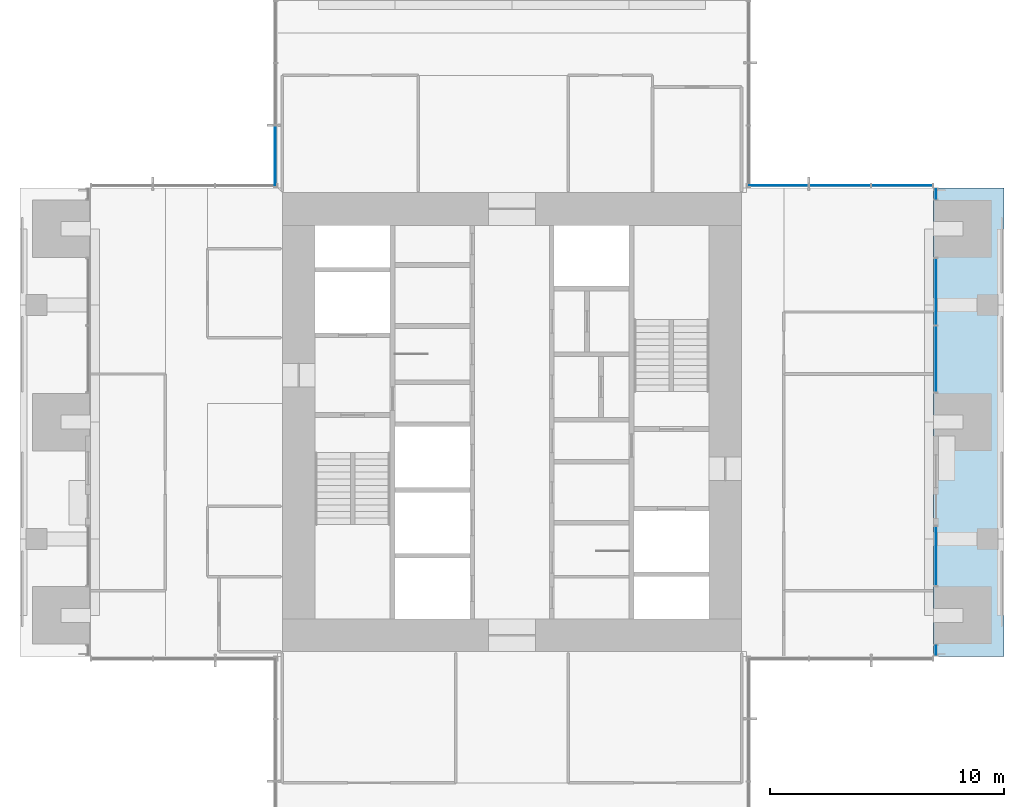
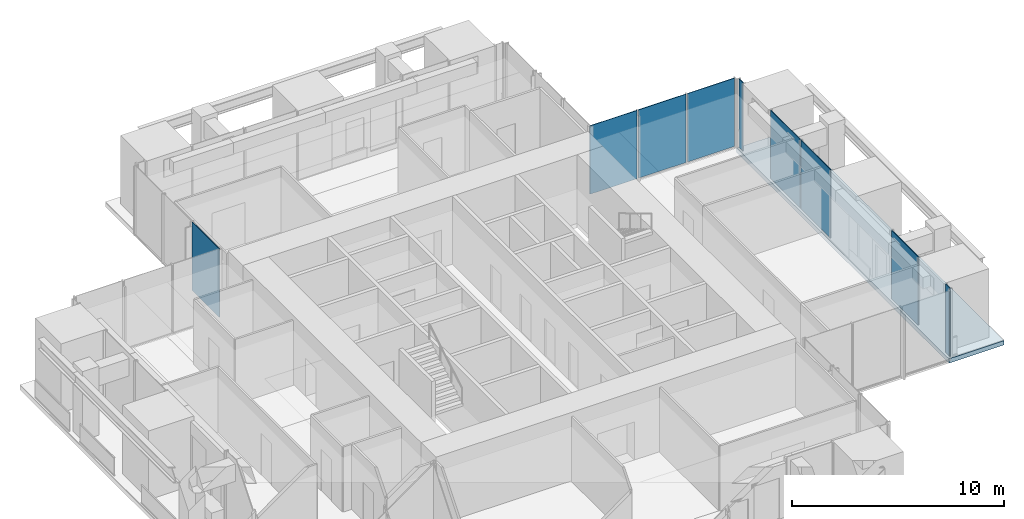
# One storey, part 10 of 17: 9 plates, 1 slab, 6 elements without a shape of their own.
"""IFC4 building model written with IfcOpenShell, lengths in metres."""

from ifc_helpers import new_model, si_unit, direction, frame, origin, origin_2d, place, context, subcontext, project, spatial, polyline, rectangle, outline, extrude, material, layer, layer_set, type_object, element, aggregate, save


model = new_model("IFC4")

# Units and contexts
model_context = context("Model", 3, precision=1e-05, world=origin(), true_north=direction((0.0, 1.0)))
body_context = subcontext(model_context, "Body", "Model", "MODEL_VIEW")
ifc_project = project(units=[si_unit("LENGTHUNIT", "METRE"), si_unit("AREAUNIT", "SQUARE_METRE"), si_unit("VOLUMEUNIT", "CUBIC_METRE"), si_unit("PLANEANGLEUNIT", "RADIAN"), si_unit("MASSUNIT", "GRAM", prefix="KILO")], contexts=[model_context])

# Site, building, storey
site_placement = place(None, origin())
site = spatial("IfcSite", under=ifc_project, at=site_placement, CompositionType="ELEMENT")
building_placement = place(site_placement, origin())
building = spatial("IfcBuilding", under=site, at=building_placement, Name="Svetlomir Tower", CompositionType="ELEMENT")
storey_placement = place(building_placement, frame((0.0, 0.0, 210.5)))
storey = spatial("IfcBuildingStorey", under=building, at=storey_placement, Name="L50", CompositionType="ELEMENT", Elevation=210.5)

# Curtain wall, plate
ifc_material_1 = material(Name="Bronze anodised aluminium curtain wall", Category="aluminium")
curtain_wall_type = type_object("IfcCurtainWallType", Name="CURTAIN WALL CW1 TOWER OFFICE", PredefinedType="NOTDEFINED", material=ifc_material_1)
curtain_wall_1_placement = place(storey_placement, origin())
curtain_wall_1 = element("IfcCurtainWall", 1, at=curtain_wall_1_placement, inside=storey, type_object=curtain_wall_type, Name="Curtain wall CW1 L50", PredefinedType="NOTDEFINED")
ifc_material_2 = material(Name="Tinted double glazed unit", Category="glass")
ifc_layer_1 = layer(ifc_material_2, 0.031982421875)
ifc_layer_set_1 = layer_set([ifc_layer_1], Name="Tinted double glazed unit")
plate_type = type_object("IfcPlateType", Name="CW1 GLAZED PANEL 32", PredefinedType="CURTAIN_PANEL", material=ifc_layer_set_1)
plate_1_placement = place(storey_placement, frame((39.10009765625, 11.262451171875, 0.06494140625), z_axis=(0.0, 0.0, 1.0), x_axis=(0.0, 1.0, 0.0)))
plate_1 = element("IfcPlate", 2, at=plate_1_placement, type_object=plate_type, Name="CW1 panel 1.1", PredefinedType="CURTAIN_PANEL", context=body_context, shape_type="SweptSolid", body=[
    extrude(rectangle(XDim=0.39501953125, YDim=0.031982421875, at=origin_2d()), origin(), (0.0, 0.0, 1.0), 3.93505859375),
])
aggregate(curtain_wall_1, [plate_1])

curtain_wall_2_placement = place(storey_placement, origin())
curtain_wall_2 = element("IfcCurtainWall", 3, at=curtain_wall_2_placement, inside=storey, type_object=curtain_wall_type, Name="Curtain wall CW1 L50", PredefinedType="NOTDEFINED")
plate_2_placement = place(storey_placement, frame((39.10009765625, 15.28759765625, 0.06494140625), z_axis=(0.0, 0.0, 1.0), x_axis=(0.0, 1.0, 0.0)))
plate_2 = element("IfcPlate", 4, at=plate_2_placement, type_object=plate_type, Name="CW1 panel 1.1", PredefinedType="CURTAIN_PANEL", context=body_context, shape_type="SweptSolid", body=[
    extrude(rectangle(XDim=2.4951171875, YDim=0.031982421875, at=origin_2d()), origin(), (0.0, 0.0, 1.0), 3.93505859375),
])
aggregate(curtain_wall_2, [plate_2])

# Curtain wall, plates
curtain_wall_3_placement = place(storey_placement, origin())
curtain_wall_3 = element("IfcCurtainWall", 5, at=curtain_wall_3_placement, inside=storey, type_object=curtain_wall_type, Name="Curtain wall CW1 L50", PredefinedType="NOTDEFINED")
plate_3_placement = place(storey_placement, frame((39.10009765625, 23.691162109375, 0.06494140625), z_axis=(0.0, 0.0, 1.0), x_axis=(0.0, 1.0, 0.0)))
plate_3 = element("IfcPlate", 6, at=plate_3_placement, type_object=plate_type, Name="CW1 panel 1.1", PredefinedType="CURTAIN_PANEL", context=body_context, shape_type="SweptSolid", body=[
    extrude(rectangle(XDim=2.802490234375, YDim=0.031982421875, at=origin_2d()), origin(), (0.0, 0.0, 1.0), 3.93505859375),
])
plate_4_placement = place(storey_placement, frame((39.10009765625, 26.558837890625, 0.06494140625), z_axis=(0.0, 0.0, 1.0), x_axis=(0.0, 1.0, 0.0)))
plate_4 = element("IfcPlate", 7, at=plate_4_placement, type_object=plate_type, Name="CW1 panel 2.1", PredefinedType="CURTAIN_PANEL", context=body_context, shape_type="SweptSolid", body=[
    extrude(rectangle(XDim=2.802490234375, YDim=0.031982421875, at=origin_2d()), origin(), (0.0, 0.0, 1.0), 3.93505859375),
])
aggregate(curtain_wall_3, [plate_3, plate_4])

# Curtain wall, plate
curtain_wall_4_placement = place(storey_placement, origin())
curtain_wall_4 = element("IfcCurtainWall", 8, at=curtain_wall_4_placement, inside=storey, type_object=curtain_wall_type, Name="Curtain wall CW1 L50", PredefinedType="NOTDEFINED")
plate_5_placement = place(storey_placement, frame((39.10009765625, 30.737548828125, 0.06494140625), z_axis=(0.0, 0.0, 1.0), x_axis=(0.0, 1.0, 0.0)))
plate_5 = element("IfcPlate", 9, at=plate_5_placement, type_object=plate_type, Name="CW1 panel 1.1", PredefinedType="CURTAIN_PANEL", context=body_context, shape_type="SweptSolid", body=[
    extrude(rectangle(XDim=0.39501953125, YDim=0.031982421875, at=origin_2d()), origin(), (0.0, 0.0, 1.0), 3.93505859375),
])
aggregate(curtain_wall_4, [plate_5])

# Curtain wall, plates
curtain_wall_5_placement = place(storey_placement, origin())
curtain_wall_5 = element("IfcCurtainWall", 10, at=curtain_wall_5_placement, inside=storey, type_object=curtain_wall_type, Name="Curtain wall CW1 L50", PredefinedType="NOTDEFINED")
plate_6_placement = place(storey_placement, frame((37.650390625, 31.10009765625, 0.06494140625), z_axis=(0.0, 0.0, 1.0), x_axis=(-1.0, 0.0, 0.0)))
plate_6 = element("IfcPlate", 11, at=plate_6_placement, type_object=plate_type, Name="CW1 panel 1.1", PredefinedType="CURTAIN_PANEL", context=body_context, shape_type="SweptSolid", body=[
    extrude(rectangle(XDim=2.569091796875, YDim=0.031982421875, at=origin_2d()), origin(), (0.0, 0.0, 1.0), 3.93505859375),
])
plate_7_placement = place(storey_placement, frame((35.0, 31.10009765625, 0.06494140625), z_axis=(0.0, 0.0, 1.0), x_axis=(-1.0, 0.0, 0.0)))
plate_7 = element("IfcPlate", 12, at=plate_7_placement, type_object=plate_type, Name="CW1 panel 2.1", PredefinedType="CURTAIN_PANEL", context=body_context, shape_type="SweptSolid", body=[
    extrude(rectangle(XDim=2.6015625, YDim=0.031982421875, at=origin_2d()), origin(), (0.0, 0.0, 1.0), 3.93505859375),
])
plate_8_placement = place(storey_placement, frame((32.349609375, 31.10009765625, 0.06494140625), z_axis=(0.0, 0.0, 1.0), x_axis=(-1.0, 0.0, 0.0)))
plate_8 = element("IfcPlate", 13, at=plate_8_placement, type_object=plate_type, Name="CW1 panel 3.1", PredefinedType="CURTAIN_PANEL", context=body_context, shape_type="SweptSolid", body=[
    extrude(rectangle(XDim=2.569091796875, YDim=0.031982421875, at=origin_2d()), origin(), (0.0, 0.0, 1.0), 3.93505859375),
])
aggregate(curtain_wall_5, [plate_6, plate_7, plate_8])

# Curtain wall, plate
curtain_wall_6_placement = place(storey_placement, origin())
curtain_wall_6 = element("IfcCurtainWall", 14, at=curtain_wall_6_placement, inside=storey, type_object=curtain_wall_type, Name="Curtain wall CW1 L50", PredefinedType="NOTDEFINED")
plate_9_placement = place(storey_placement, frame((10.89990234375, 32.349609375, 0.06494140625), z_axis=(0.0, 0.0, 1.0), x_axis=(0.0, -1.0, 0.0)))
plate_9 = element("IfcPlate", 15, at=plate_9_placement, type_object=plate_type, Name="CW1 panel 3.1", PredefinedType="CURTAIN_PANEL", context=body_context, shape_type="SweptSolid", body=[
    extrude(rectangle(XDim=2.569091796875, YDim=0.031982421875, at=origin_2d()), origin(), (0.0, 0.0, 1.0), 3.93505859375),
])
aggregate(curtain_wall_6, [plate_9])

# Slab
ifc_material_3 = material(Name="Concrete C60/75", Category="concrete")
ifc_layer_2 = layer(ifc_material_3, 0.25)
ifc_layer_set_2 = layer_set([ifc_layer_2], Name="Concrete C60/75")
slab_type = type_object("IfcSlabType", Name="PLANTED LOGGIA SLAB 250", PredefinedType="FLOOR", material=ifc_layer_set_2)
slab_placement = place(storey_placement, frame((0.0, 0.0, -0.25)))
element("IfcSlab", 16, at=slab_placement, inside=storey, type_object=slab_type, Name="L50 E planted loggia", PredefinedType="FLOOR", context=body_context, shape_type="SweptSolid", body=[
    extrude(outline(polyline([(39.0, 11.0), (42.0, 11.0), (42.0, 31.0), (39.0, 31.0), (39.0, 11.0)])), origin(), (0.0, 0.0, 1.0), 0.25),
])

save(model, "model.ifc")
